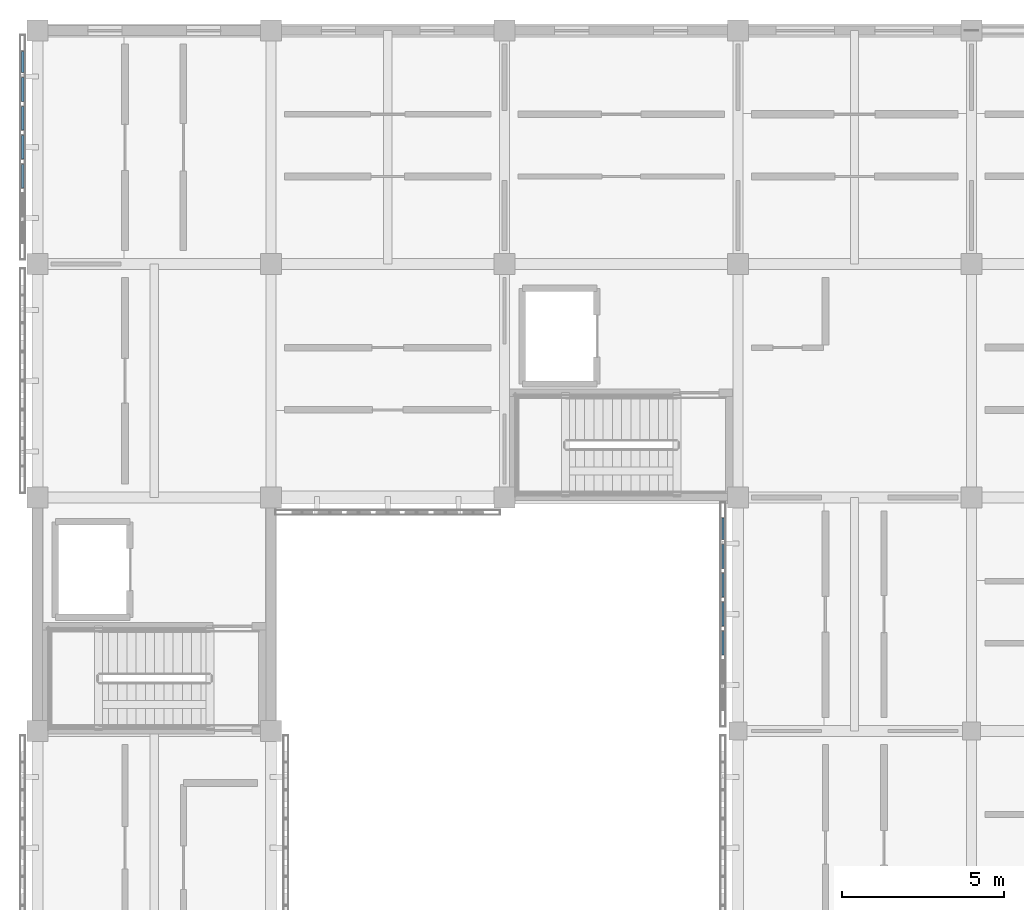
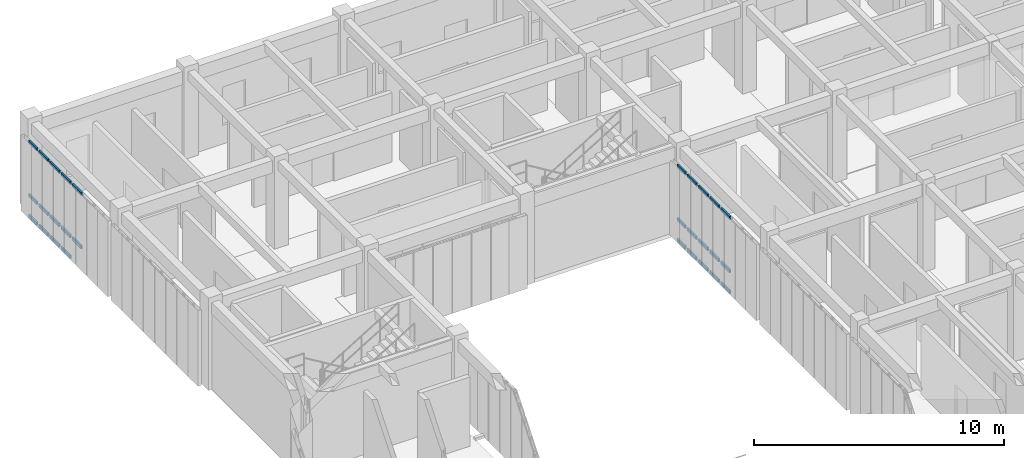
# One storey, part 31 of 91: 29 members, 2 elements without a shape of their own.
"""IFC4 building model written with IfcOpenShell, lengths in metres."""

from ifc_helpers import new_model, si_unit, direction, frame, origin, origin_2d, place, context, subcontext, project, spatial, hollow_rectangle, extrude, material, material_profile, profile_set, type_object, element, aggregate, save


model = new_model("IFC4")

# Units and contexts
model_context = context("Model", 3, precision=1e-05, world=origin(), true_north=direction((0.0, 1.0)))
body_context = subcontext(model_context, "Body", "Model", "MODEL_VIEW")
ifc_project = project(units=[si_unit("LENGTHUNIT", "METRE"), si_unit("AREAUNIT", "SQUARE_METRE"), si_unit("VOLUMEUNIT", "CUBIC_METRE"), si_unit("PLANEANGLEUNIT", "RADIAN"), si_unit("MASSUNIT", "GRAM", prefix="KILO")], contexts=[model_context])

# Site, building, storey
site_placement = place(None, origin())
site = spatial("IfcSite", under=ifc_project, at=site_placement, CompositionType="ELEMENT")
building_placement = place(site_placement, origin())
building = spatial("IfcBuilding", under=site, at=building_placement, Name="Aldebral Square Health Centre", CompositionType="ELEMENT")
storey_placement = place(building_placement, frame((0.0, 0.0, 9.0)))
storey = spatial("IfcBuildingStorey", under=building, at=storey_placement, Name="L02", CompositionType="ELEMENT", Elevation=9.0)

# Curtain wall, members
ifc_material_1 = material(Name="Aluminium and low-E solar glass", Category="aluminium")
curtain_wall_type = type_object("IfcCurtainWallType", Name="CW-FIN-SYS", PredefinedType="USERDEFINED", material=ifc_material_1)
curtain_wall_1_placement = place(storey_placement, origin())
curtain_wall_1 = element("IfcCurtainWall", 1, at=curtain_wall_1_placement, inside=storey, type_object=curtain_wall_type, Name="L02 V4 finned curtain wall L02-V4-00-15-W", ObjectType="SOLAR_CURTAIN_WALL", PredefinedType="USERDEFINED")
ifc_material_2 = material(Name="Anodised aluminium transom", Category="aluminium")
ifc_material_profile = material_profile(ifc_material_2, hollow_rectangle(XDim=0.074951171875, YDim=0.14990234375, WallThickness=0.00390625, at=origin_2d()), Name="CWT 75x150x4")
ifc_profile_set = profile_set([ifc_material_profile], Name="Anodised aluminium transom")
member_type = type_object("IfcMemberType", Name="CWT-STD", PredefinedType="USERDEFINED", material=ifc_profile_set)
member_1_placement = place(storey_placement, frame((-0.4599609375, 114.56005859375, 0.03759765625), z_axis=(0.0, -1.0, 0.0), x_axis=(1.0, 0.0, 0.0)))
member_1 = element("IfcMember", 2, at=member_1_placement, type_object=member_type, Name="CW1 transom 1.1", ObjectType="TRANSOM", PredefinedType="USERDEFINED", context=body_context, shape_type="SweptSolid", body=[
    extrude(hollow_rectangle(XDim=0.074951171875, YDim=0.14990234375, WallThickness=0.00390625, at=origin_2d()), origin(), (0.0, 0.0, 1.0), 0.6513671875),
])
member_2_placement = place(storey_placement, frame((-0.4599609375, 114.56005859375, 1.050048828125), z_axis=(0.0, -1.0, 0.0), x_axis=(1.0, 0.0, 0.0)))
member_2 = element("IfcMember", 3, at=member_2_placement, type_object=member_type, Name="CW1 transom 1.2", ObjectType="TRANSOM", PredefinedType="USERDEFINED", context=body_context, shape_type="SweptSolid", body=[
    extrude(hollow_rectangle(XDim=0.074951171875, YDim=0.14990234375, WallThickness=0.00390625, at=origin_2d()), origin(), (0.0, 0.0, 1.0), 0.6513671875),
])
member_3_placement = place(storey_placement, frame((-0.4599609375, 114.56005859375, 3.652587890625), z_axis=(0.0, -1.0, 0.0), x_axis=(1.0, 0.0, 0.0)))
member_3 = element("IfcMember", 4, at=member_3_placement, type_object=member_type, Name="CW1 transom 1.3", ObjectType="TRANSOM", PredefinedType="USERDEFINED", context=body_context, shape_type="SweptSolid", body=[
    extrude(hollow_rectangle(XDim=0.074951171875, YDim=0.14990234375, WallThickness=0.00390625, at=origin_2d()), origin(), (0.0, 0.0, 1.0), 0.6513671875),
])
member_4_placement = place(storey_placement, frame((-0.4599609375, 113.74853515625, 0.03759765625), z_axis=(0.0, -1.0, 0.0), x_axis=(1.0, 0.0, 0.0)))
member_4 = element("IfcMember", 5, at=member_4_placement, type_object=member_type, Name="CW1 transom 2.1", ObjectType="TRANSOM", PredefinedType="USERDEFINED", context=body_context, shape_type="SweptSolid", body=[
    extrude(hollow_rectangle(XDim=0.074951171875, YDim=0.14990234375, WallThickness=0.00390625, at=origin_2d()), origin(), (0.0, 0.0, 1.0), 0.7314453125),
])
member_5_placement = place(storey_placement, frame((-0.4599609375, 113.74853515625, 1.050048828125), z_axis=(0.0, -1.0, 0.0), x_axis=(1.0, 0.0, 0.0)))
member_5 = element("IfcMember", 6, at=member_5_placement, type_object=member_type, Name="CW1 transom 2.2", ObjectType="TRANSOM", PredefinedType="USERDEFINED", context=body_context, shape_type="SweptSolid", body=[
    extrude(hollow_rectangle(XDim=0.074951171875, YDim=0.14990234375, WallThickness=0.00390625, at=origin_2d()), origin(), (0.0, 0.0, 1.0), 0.7314453125),
])
member_6_placement = place(storey_placement, frame((-0.4599609375, 113.74853515625, 3.652587890625), z_axis=(0.0, -1.0, 0.0), x_axis=(1.0, 0.0, 0.0)))
member_6 = element("IfcMember", 7, at=member_6_placement, type_object=member_type, Name="CW1 transom 2.3", ObjectType="TRANSOM", PredefinedType="USERDEFINED", context=body_context, shape_type="SweptSolid", body=[
    extrude(hollow_rectangle(XDim=0.074951171875, YDim=0.14990234375, WallThickness=0.00390625, at=origin_2d()), origin(), (0.0, 0.0, 1.0), 0.7314453125),
])
member_7_placement = place(storey_placement, frame((-0.4599609375, 112.857177734375, 0.03759765625), z_axis=(0.0, -1.0, 0.0), x_axis=(1.0, 0.0, 0.0)))
member_7 = element("IfcMember", 8, at=member_7_placement, type_object=member_type, Name="CW1 transom 3.1", ObjectType="TRANSOM", PredefinedType="USERDEFINED", context=body_context, shape_type="SweptSolid", body=[
    extrude(hollow_rectangle(XDim=0.074951171875, YDim=0.14990234375, WallThickness=0.00390625, at=origin_2d()), origin(), (0.0, 0.0, 1.0), 0.7314453125),
])
member_8_placement = place(storey_placement, frame((-0.4599609375, 112.857177734375, 1.050048828125), z_axis=(0.0, -1.0, 0.0), x_axis=(1.0, 0.0, 0.0)))
member_8 = element("IfcMember", 9, at=member_8_placement, type_object=member_type, Name="CW1 transom 3.2", ObjectType="TRANSOM", PredefinedType="USERDEFINED", context=body_context, shape_type="SweptSolid", body=[
    extrude(hollow_rectangle(XDim=0.074951171875, YDim=0.14990234375, WallThickness=0.00390625, at=origin_2d()), origin(), (0.0, 0.0, 1.0), 0.7314453125),
])
member_9_placement = place(storey_placement, frame((-0.4599609375, 112.857177734375, 3.652587890625), z_axis=(0.0, -1.0, 0.0), x_axis=(1.0, 0.0, 0.0)))
member_9 = element("IfcMember", 10, at=member_9_placement, type_object=member_type, Name="CW1 transom 3.3", ObjectType="TRANSOM", PredefinedType="USERDEFINED", context=body_context, shape_type="SweptSolid", body=[
    extrude(hollow_rectangle(XDim=0.074951171875, YDim=0.14990234375, WallThickness=0.00390625, at=origin_2d()), origin(), (0.0, 0.0, 1.0), 0.7314453125),
])
member_10_placement = place(storey_placement, frame((-0.4599609375, 111.9658203125, 0.03759765625), z_axis=(0.0, -1.0, 0.0), x_axis=(1.0, 0.0, 0.0)))
member_10 = element("IfcMember", 11, at=member_10_placement, type_object=member_type, Name="CW1 transom 4.1", ObjectType="TRANSOM", PredefinedType="USERDEFINED", context=body_context, shape_type="SweptSolid", body=[
    extrude(hollow_rectangle(XDim=0.074951171875, YDim=0.14990234375, WallThickness=0.00390625, at=origin_2d()), origin(), (0.0, 0.0, 1.0), 0.7314453125),
])
member_11_placement = place(storey_placement, frame((-0.4599609375, 111.9658203125, 1.050048828125), z_axis=(0.0, -1.0, 0.0), x_axis=(1.0, 0.0, 0.0)))
member_11 = element("IfcMember", 12, at=member_11_placement, type_object=member_type, Name="CW1 transom 4.2", ObjectType="TRANSOM", PredefinedType="USERDEFINED", context=body_context, shape_type="SweptSolid", body=[
    extrude(hollow_rectangle(XDim=0.074951171875, YDim=0.14990234375, WallThickness=0.00390625, at=origin_2d()), origin(), (0.0, 0.0, 1.0), 0.7314453125),
])
member_12_placement = place(storey_placement, frame((-0.4599609375, 111.9658203125, 3.652587890625), z_axis=(0.0, -1.0, 0.0), x_axis=(1.0, 0.0, 0.0)))
member_12 = element("IfcMember", 13, at=member_12_placement, type_object=member_type, Name="CW1 transom 4.3", ObjectType="TRANSOM", PredefinedType="USERDEFINED", context=body_context, shape_type="SweptSolid", body=[
    extrude(hollow_rectangle(XDim=0.074951171875, YDim=0.14990234375, WallThickness=0.00390625, at=origin_2d()), origin(), (0.0, 0.0, 1.0), 0.7314453125),
])
member_13_placement = place(storey_placement, frame((-0.4599609375, 111.07421875, 1.050048828125), z_axis=(0.0, -1.0, 0.0), x_axis=(1.0, 0.0, 0.0)))
member_13 = element("IfcMember", 14, at=member_13_placement, type_object=member_type, Name="CW1 transom 5.2", ObjectType="TRANSOM", PredefinedType="USERDEFINED", context=body_context, shape_type="SweptSolid", body=[
    extrude(hollow_rectangle(XDim=0.074951171875, YDim=0.14990234375, WallThickness=0.00390625, at=origin_2d()), origin(), (0.0, 0.0, 1.0), 0.7314453125),
])
member_14_placement = place(storey_placement, frame((-0.4599609375, 111.07421875, 3.652587890625), z_axis=(0.0, -1.0, 0.0), x_axis=(1.0, 0.0, 0.0)))
member_14 = element("IfcMember", 15, at=member_14_placement, type_object=member_type, Name="CW1 transom 5.3", ObjectType="TRANSOM", PredefinedType="USERDEFINED", context=body_context, shape_type="SweptSolid", body=[
    extrude(hollow_rectangle(XDim=0.074951171875, YDim=0.14990234375, WallThickness=0.00390625, at=origin_2d()), origin(), (0.0, 0.0, 1.0), 0.7314453125),
])
aggregate(curtain_wall_1, [member_1, member_2, member_3, member_4, member_5, member_6, member_7, member_8, member_9, member_10, member_11, member_12, member_13, member_14])

curtain_wall_2_placement = place(storey_placement, origin())
curtain_wall_2 = element("IfcCurtainWall", 16, at=curtain_wall_2_placement, inside=storey, type_object=curtain_wall_type, Name="L02 V4 finned curtain wall L02-V4-03-13-W", ObjectType="SOLAR_CURTAIN_WALL", PredefinedType="USERDEFINED")
member_15_placement = place(storey_placement, frame((21.139892578125, 100.159912109375, 0.03759765625), z_axis=(0.0, -1.0, 0.0), x_axis=(1.0, 0.0, 0.0)))
member_15 = element("IfcMember", 17, at=member_15_placement, type_object=member_type, Name="CW1 transom 1.1", ObjectType="TRANSOM", PredefinedType="USERDEFINED", context=body_context, shape_type="SweptSolid", body=[
    extrude(hollow_rectangle(XDim=0.074951171875, YDim=0.14990234375, WallThickness=0.00390625, at=origin_2d()), origin(), (0.0, 0.0, 1.0), 0.6513671875),
])
member_16_placement = place(storey_placement, frame((21.139892578125, 100.159912109375, 1.050048828125), z_axis=(0.0, -1.0, 0.0), x_axis=(1.0, 0.0, 0.0)))
member_16 = element("IfcMember", 18, at=member_16_placement, type_object=member_type, Name="CW1 transom 1.2", ObjectType="TRANSOM", PredefinedType="USERDEFINED", context=body_context, shape_type="SweptSolid", body=[
    extrude(hollow_rectangle(XDim=0.074951171875, YDim=0.14990234375, WallThickness=0.00390625, at=origin_2d()), origin(), (0.0, 0.0, 1.0), 0.6513671875),
])
member_17_placement = place(storey_placement, frame((21.139892578125, 100.159912109375, 3.652587890625), z_axis=(0.0, -1.0, 0.0), x_axis=(1.0, 0.0, 0.0)))
member_17 = element("IfcMember", 19, at=member_17_placement, type_object=member_type, Name="CW1 transom 1.3", ObjectType="TRANSOM", PredefinedType="USERDEFINED", context=body_context, shape_type="SweptSolid", body=[
    extrude(hollow_rectangle(XDim=0.074951171875, YDim=0.14990234375, WallThickness=0.00390625, at=origin_2d()), origin(), (0.0, 0.0, 1.0), 0.6513671875),
])
member_18_placement = place(storey_placement, frame((21.139892578125, 99.3486328125, 0.03759765625), z_axis=(0.0, -1.0, 0.0), x_axis=(1.0, 0.0, 0.0)))
member_18 = element("IfcMember", 20, at=member_18_placement, type_object=member_type, Name="CW1 transom 2.1", ObjectType="TRANSOM", PredefinedType="USERDEFINED", context=body_context, shape_type="SweptSolid", body=[
    extrude(hollow_rectangle(XDim=0.074951171875, YDim=0.14990234375, WallThickness=0.00390625, at=origin_2d()), origin(), (0.0, 0.0, 1.0), 0.7314453125),
])
member_19_placement = place(storey_placement, frame((21.139892578125, 99.3486328125, 1.050048828125), z_axis=(0.0, -1.0, 0.0), x_axis=(1.0, 0.0, 0.0)))
member_19 = element("IfcMember", 21, at=member_19_placement, type_object=member_type, Name="CW1 transom 2.2", ObjectType="TRANSOM", PredefinedType="USERDEFINED", context=body_context, shape_type="SweptSolid", body=[
    extrude(hollow_rectangle(XDim=0.074951171875, YDim=0.14990234375, WallThickness=0.00390625, at=origin_2d()), origin(), (0.0, 0.0, 1.0), 0.7314453125),
])
member_20_placement = place(storey_placement, frame((21.139892578125, 99.3486328125, 3.652587890625), z_axis=(0.0, -1.0, 0.0), x_axis=(1.0, 0.0, 0.0)))
member_20 = element("IfcMember", 22, at=member_20_placement, type_object=member_type, Name="CW1 transom 2.3", ObjectType="TRANSOM", PredefinedType="USERDEFINED", context=body_context, shape_type="SweptSolid", body=[
    extrude(hollow_rectangle(XDim=0.074951171875, YDim=0.14990234375, WallThickness=0.00390625, at=origin_2d()), origin(), (0.0, 0.0, 1.0), 0.7314453125),
])
member_21_placement = place(storey_placement, frame((21.139892578125, 98.45703125, 0.03759765625), z_axis=(0.0, -1.0, 0.0), x_axis=(1.0, 0.0, 0.0)))
member_21 = element("IfcMember", 23, at=member_21_placement, type_object=member_type, Name="CW1 transom 3.1", ObjectType="TRANSOM", PredefinedType="USERDEFINED", context=body_context, shape_type="SweptSolid", body=[
    extrude(hollow_rectangle(XDim=0.074951171875, YDim=0.14990234375, WallThickness=0.00390625, at=origin_2d()), origin(), (0.0, 0.0, 1.0), 0.731201171875),
])
member_22_placement = place(storey_placement, frame((21.139892578125, 98.45703125, 1.050048828125), z_axis=(0.0, -1.0, 0.0), x_axis=(1.0, 0.0, 0.0)))
member_22 = element("IfcMember", 24, at=member_22_placement, type_object=member_type, Name="CW1 transom 3.2", ObjectType="TRANSOM", PredefinedType="USERDEFINED", context=body_context, shape_type="SweptSolid", body=[
    extrude(hollow_rectangle(XDim=0.074951171875, YDim=0.14990234375, WallThickness=0.00390625, at=origin_2d()), origin(), (0.0, 0.0, 1.0), 0.731201171875),
])
member_23_placement = place(storey_placement, frame((21.139892578125, 98.45703125, 3.652587890625), z_axis=(0.0, -1.0, 0.0), x_axis=(1.0, 0.0, 0.0)))
member_23 = element("IfcMember", 25, at=member_23_placement, type_object=member_type, Name="CW1 transom 3.3", ObjectType="TRANSOM", PredefinedType="USERDEFINED", context=body_context, shape_type="SweptSolid", body=[
    extrude(hollow_rectangle(XDim=0.074951171875, YDim=0.14990234375, WallThickness=0.00390625, at=origin_2d()), origin(), (0.0, 0.0, 1.0), 0.731201171875),
])
member_24_placement = place(storey_placement, frame((21.139892578125, 97.565673828125, 0.03759765625), z_axis=(0.0, -1.0, 0.0), x_axis=(1.0, 0.0, 0.0)))
member_24 = element("IfcMember", 26, at=member_24_placement, type_object=member_type, Name="CW1 transom 4.1", ObjectType="TRANSOM", PredefinedType="USERDEFINED", context=body_context, shape_type="SweptSolid", body=[
    extrude(hollow_rectangle(XDim=0.074951171875, YDim=0.14990234375, WallThickness=0.00390625, at=origin_2d()), origin(), (0.0, 0.0, 1.0), 0.7314453125),
])
member_25_placement = place(storey_placement, frame((21.139892578125, 97.565673828125, 1.050048828125), z_axis=(0.0, -1.0, 0.0), x_axis=(1.0, 0.0, 0.0)))
member_25 = element("IfcMember", 27, at=member_25_placement, type_object=member_type, Name="CW1 transom 4.2", ObjectType="TRANSOM", PredefinedType="USERDEFINED", context=body_context, shape_type="SweptSolid", body=[
    extrude(hollow_rectangle(XDim=0.074951171875, YDim=0.14990234375, WallThickness=0.00390625, at=origin_2d()), origin(), (0.0, 0.0, 1.0), 0.7314453125),
])
member_26_placement = place(storey_placement, frame((21.139892578125, 97.565673828125, 3.652587890625), z_axis=(0.0, -1.0, 0.0), x_axis=(1.0, 0.0, 0.0)))
member_26 = element("IfcMember", 28, at=member_26_placement, type_object=member_type, Name="CW1 transom 4.3", ObjectType="TRANSOM", PredefinedType="USERDEFINED", context=body_context, shape_type="SweptSolid", body=[
    extrude(hollow_rectangle(XDim=0.074951171875, YDim=0.14990234375, WallThickness=0.00390625, at=origin_2d()), origin(), (0.0, 0.0, 1.0), 0.7314453125),
])
member_27_placement = place(storey_placement, frame((21.139892578125, 96.67431640625, 0.03759765625), z_axis=(0.0, -1.0, 0.0), x_axis=(1.0, 0.0, 0.0)))
member_27 = element("IfcMember", 29, at=member_27_placement, type_object=member_type, Name="CW1 transom 5.1", ObjectType="TRANSOM", PredefinedType="USERDEFINED", context=body_context, shape_type="SweptSolid", body=[
    extrude(hollow_rectangle(XDim=0.074951171875, YDim=0.14990234375, WallThickness=0.00390625, at=origin_2d()), origin(), (0.0, 0.0, 1.0), 0.7314453125),
])
member_28_placement = place(storey_placement, frame((21.139892578125, 96.67431640625, 1.050048828125), z_axis=(0.0, -1.0, 0.0), x_axis=(1.0, 0.0, 0.0)))
member_28 = element("IfcMember", 30, at=member_28_placement, type_object=member_type, Name="CW1 transom 5.2", ObjectType="TRANSOM", PredefinedType="USERDEFINED", context=body_context, shape_type="SweptSolid", body=[
    extrude(hollow_rectangle(XDim=0.074951171875, YDim=0.14990234375, WallThickness=0.00390625, at=origin_2d()), origin(), (0.0, 0.0, 1.0), 0.7314453125),
])
member_29_placement = place(storey_placement, frame((21.139892578125, 96.67431640625, 3.652587890625), z_axis=(0.0, -1.0, 0.0), x_axis=(1.0, 0.0, 0.0)))
member_29 = element("IfcMember", 31, at=member_29_placement, type_object=member_type, Name="CW1 transom 5.3", ObjectType="TRANSOM", PredefinedType="USERDEFINED", context=body_context, shape_type="SweptSolid", body=[
    extrude(hollow_rectangle(XDim=0.074951171875, YDim=0.14990234375, WallThickness=0.00390625, at=origin_2d()), origin(), (0.0, 0.0, 1.0), 0.7314453125),
])
aggregate(curtain_wall_2, [member_15, member_16, member_17, member_18, member_19, member_20, member_21, member_22, member_23, member_24, member_25, member_26, member_27, member_28, member_29])

save(model, "model.ifc")
